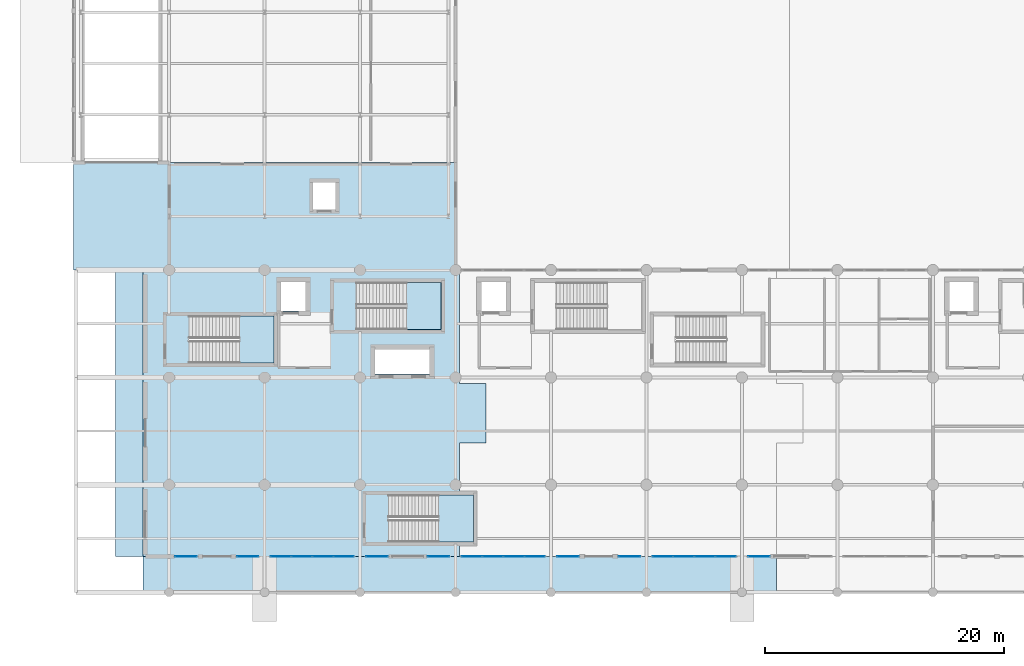
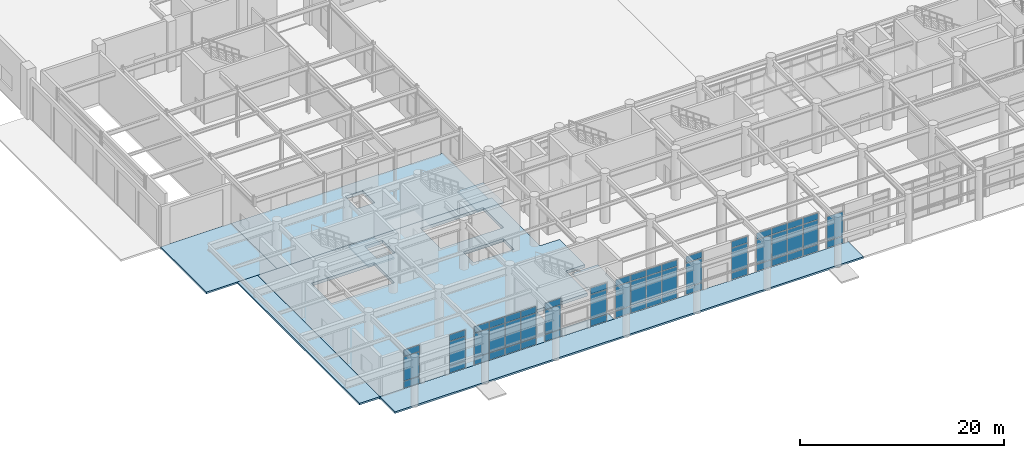
# One storey, part 19 of 49: 56 plates, 8 slabs, 13 elements without a shape of their own.
"""IFC4 building model written with IfcOpenShell, lengths in metres."""

import ifcopenshell
import ifcopenshell.guid

model = None  # the IFC model being written
_history = None  # IfcOwnerHistory: only IFC2X3 demands one
_inside = {}  # id of a spatial element -> (the spatial element, [elements in it])
_under = {}  # id of a project, library or spatial element -> (it, [spatial elements below it])
_declared = {}  # id of a project -> (the project, [libraries it declares])
_typed = {}  # id of a type object -> (the type object, [elements of that type])
_made_of = {}  # id of a material, layer set ... -> (it, [elements and type objects made of it])


def new_model(schema):
    """Start an empty IFC model of exactly this schema.

    Asked for "IFC4X3", IfcOpenShell would pick the latest addendum, in which some entities
    have other attributes; the version numbers below select the first issue.
    IFC2X3 requires an IfcOwnerHistory on every rooted entity: one is made here for all.
    """
    global model, _history
    if schema == "IFC4X3":
        model = ifcopenshell.file(schema_version=(4, 3, 0, 0))
    else:
        model = ifcopenshell.file(schema=schema)
    _inside.clear()
    _under.clear()
    _declared.clear()
    _typed.clear()
    _made_of.clear()
    _history = None
    if model.schema == "IFC2X3":
        org = make("IfcOrganization", Name="unknown")
        user = make(
            "IfcPersonAndOrganization",
            ThePerson=make("IfcPerson", FamilyName="unknown"),
            TheOrganization=org,
        )
        app = make(
            "IfcApplication",
            ApplicationDeveloper=org,
            Version="unknown",
            ApplicationFullName="unknown",
            ApplicationIdentifier="unknown",
        )
        _history = make(
            "IfcOwnerHistory",
            OwningUser=user,
            OwningApplication=app,
            ChangeAction="ADDED",
            CreationDate=0,
        )
    return model


def make(cls, **values):
    """One entity of the class cls with the attributes given. An attribute that is None is left unset."""
    return model.create_entity(
        cls, **{name: value for name, value in values.items() if value is not None}
    )


def rooted(cls, **values):
    """An entity with a GlobalId (a new one), such as an element, a storey or a relation."""
    return make(cls, GlobalId=ifcopenshell.guid.new(), OwnerHistory=_history, **values)


def si_unit(unit_type, name, prefix=None):
    """IfcSIUnit, for example si_unit("LENGTHUNIT", "METRE", prefix="MILLI")."""
    return make("IfcSIUnit", UnitType=unit_type, Prefix=prefix, Name=name)


def assignment(units):
    """IfcUnitAssignment: the units of a project."""
    return None if units is None else make("IfcUnitAssignment", Units=units)


def point(xyz):
    """IfcCartesianPoint."""
    return None if xyz is None else make("IfcCartesianPoint", Coordinates=xyz)


def direction(xyz):
    """IfcDirection."""
    return None if xyz is None else make("IfcDirection", DirectionRatios=xyz)


def frame(location, z_axis=None, x_axis=None):
    """IfcAxis2Placement3D, a coordinate frame: its origin and axes. An axis left out is left unset."""
    return make(
        "IfcAxis2Placement3D",
        Location=point(location),
        Axis=direction(z_axis),
        RefDirection=direction(x_axis),
    )


def frame_2d(location, x_axis=None):
    """IfcAxis2Placement2D, a coordinate frame in the plane: its origin and x axis."""
    return make(
        "IfcAxis2Placement2D", Location=point(location), RefDirection=direction(x_axis)
    )


def origin():
    """The frame at (0, 0, 0) with its axes left unset."""
    return frame((0.0, 0.0, 0.0))


def origin_2d():
    """The frame at (0, 0) in the plane with its x axis left unset."""
    return frame_2d((0.0, 0.0))


def place(relative_to, where):
    """IfcLocalPlacement: puts the frame where relative to a parent placement (None: the world)."""
    return make(
        "IfcLocalPlacement", PlacementRelTo=relative_to, RelativePlacement=where
    )


def context(
    kind, dimensions, precision=None, world=None, true_north=None, identifier=None
):
    """IfcGeometricRepresentationContext, for example the 3D "Model" context."""
    return make(
        "IfcGeometricRepresentationContext",
        ContextIdentifier=identifier,
        ContextType=kind,
        CoordinateSpaceDimension=dimensions,
        Precision=precision,
        WorldCoordinateSystem=world,
        TrueNorth=true_north,
    )


def subcontext(parent, identifier, kind, view, scale=None):
    """IfcGeometricRepresentationSubContext, for example "Body" below "Model"."""
    return make(
        "IfcGeometricRepresentationSubContext",
        ContextIdentifier=identifier,
        ContextType=kind,
        ParentContext=parent,
        TargetScale=scale,
        TargetView=view,
    )


def project(units=None, contexts=None):
    """IfcProject with its units and contexts."""
    return rooted(
        "IfcProject",
        Name="project",
        RepresentationContexts=contexts,
        UnitsInContext=assignment(units),
    )


def spatial(cls, under=None, at=None, **own):
    """A site, building, storey or space (cls), placed at a placement, below another one or the project."""
    s = rooted(cls, ObjectPlacement=at, **own)
    if under is not None:
        _under.setdefault(under.id(), (under, []))[1].append(s)
    return s


def polyline(points):
    """IfcPolyline through the points."""
    return make("IfcPolyline", Points=[point(p) for p in points])


def profile(cls, at=None, kind="AREA", **sizes):
    """A parametric profile (cls). Its sizes go by their IFC names, for example OverallWidth=200.0."""
    return make(cls, ProfileType=kind, Position=at, **sizes)


def rectangle(**sizes):
    """IfcRectangleProfileDef."""
    return profile("IfcRectangleProfileDef", **sizes)


def outline(outer, holes=None, kind="AREA"):
    """IfcArbitraryClosedProfileDef: a profile drawn as a closed curve; with holes, ...WithVoids."""
    if holes is None:
        return make("IfcArbitraryClosedProfileDef", ProfileType=kind, OuterCurve=outer)
    return make(
        "IfcArbitraryProfileDefWithVoids",
        ProfileType=kind,
        OuterCurve=outer,
        InnerCurves=holes,
    )


def extrude(swept, where, along, depth):
    """IfcExtrudedAreaSolid: the profile swept, set in the frame where, extruded along a direction by depth."""
    return make(
        "IfcExtrudedAreaSolid",
        SweptArea=swept,
        Position=where,
        ExtrudedDirection=direction(along),
        Depth=depth,
    )


def shape(context_of_items, identifier, shape_type, items):
    """IfcShapeRepresentation: the items that make up one representation, for example the "Body"."""
    return make(
        "IfcShapeRepresentation",
        ContextOfItems=context_of_items,
        RepresentationIdentifier=identifier,
        RepresentationType=shape_type,
        Items=items,
    )


def material(Name=None, Category=None):
    """IfcMaterial."""
    return make("IfcMaterial", Name=Name, Category=Category)


def layer(
    of_material, thickness, ventilated=None, Name=None, Category=None, Priority=None
):
    """IfcMaterialLayer: one layer of a wall or slab, of a material (None: an air gap)."""
    return make(
        "IfcMaterialLayer",
        Material=of_material,
        LayerThickness=thickness,
        IsVentilated=ventilated,
        Name=Name,
        Category=Category,
        Priority=Priority,
    )


def layer_set(layers, Name=None):
    """IfcMaterialLayerSet."""
    return make("IfcMaterialLayerSet", MaterialLayers=layers, LayerSetName=Name)


def made_of(thing, what):
    """Note that an element or type object is made of a material, layer set ...; save() writes the relation."""
    if what is not None:
        _made_of.setdefault(what.id(), (what, []))[1].append(thing)
    return thing


def type_object(cls, material=None, **own):
    """A type object (cls), such as IfcWallType, which elements share."""
    return made_of(rooted(cls, **own), material)


def element(
    cls,
    number,
    at=None,
    inside=None,
    cuts=None,
    type_object=None,
    material=None,
    context=None,
    identifier="Body",
    shape_type=None,
    held_by="IfcProductDefinitionShape",
    body=None,
    shapes=None,
    **own,
):
    """One element of the class cls, such as IfcWall. Its Tag is "e" and its number.

    at: its placement. inside: the storey or other place that contains it. cuts: it is an
    opening in that element (IfcRelVoidsElement). A single representation is given by context,
    identifier, shape_type and body (its items); several are given by shapes. held_by: the class
    of the entity that holds the representations. save() writes the other relations.
    """
    e = rooted(cls, Tag="e%d" % number, ObjectPlacement=at, **own)
    if body is not None:
        shapes = [shape(context, identifier, shape_type, body)]
    if shapes is not None:
        e.Representation = make(held_by, Representations=shapes)
    if inside is not None:
        _inside.setdefault(inside.id(), (inside, []))[1].append(e)
    if cuts is not None:
        rooted(
            "IfcRelVoidsElement", RelatingBuildingElement=cuts, RelatedOpeningElement=e
        )
    if type_object is not None:
        _typed.setdefault(type_object.id(), (type_object, []))[1].append(e)
    return made_of(e, material)


def aggregate(whole, parts):
    """IfcRelAggregates: a whole, such as a stair, and the parts it consists of."""
    return rooted("IfcRelAggregates", RelatingObject=whole, RelatedObjects=parts)


def save(model, path):
    """Write the relations noted so far, then the file.

    IfcRelAggregates (storeys below a building ...), IfcRelContainedInSpatialStructure (elements
    in a storey), IfcRelDefinesByType, IfcRelAssociatesMaterial and IfcRelDeclares: one each for
    every whole, place, type object, material and project.
    """
    for whole, parts in _under.values():
        aggregate(whole, parts)
    for where, things in _inside.values():
        rooted(
            "IfcRelContainedInSpatialStructure",
            RelatedElements=things,
            RelatingStructure=where,
        )
    for kind, things in _typed.values():
        rooted("IfcRelDefinesByType", RelatedObjects=things, RelatingType=kind)
    for what, things in _made_of.values():
        rooted("IfcRelAssociatesMaterial", RelatedObjects=things, RelatingMaterial=what)
    for by, libraries in _declared.values():
        rooted("IfcRelDeclares", RelatingContext=by, RelatedDefinitions=libraries)
    model.write(path)


model = new_model("IFC4")

# Units and contexts
model_context = context("Model", 3, precision=1e-05, world=origin(), true_north=direction((0.0, 1.0)))
body_context = subcontext(model_context, "Body", "Model", "MODEL_VIEW")
ifc_project = project(units=[si_unit("LENGTHUNIT", "METRE"), si_unit("AREAUNIT", "SQUARE_METRE"), si_unit("VOLUMEUNIT", "CUBIC_METRE"), si_unit("PLANEANGLEUNIT", "RADIAN"), si_unit("MASSUNIT", "GRAM", prefix="KILO")], contexts=[model_context])

# Site, building, storey
site_placement = place(None, origin())
site = spatial("IfcSite", under=ifc_project, at=site_placement, CompositionType="ELEMENT")
building_placement = place(site_placement, origin())
building = spatial("IfcBuilding", under=site, at=building_placement, Name="Tlacozan Convention Centre", CompositionType="ELEMENT")
storey_placement = place(building_placement, origin())
storey = spatial("IfcBuildingStorey", under=building, at=storey_placement, Name="L00", CompositionType="ELEMENT", Elevation=0.0)

# Curtain wall, plates
ifc_material_1 = material(Name="Dark Bronze Anodised Aluminium", Category="aluminium")
ifc_layer_1 = layer(ifc_material_1, 0.159912109375)
ifc_layer_set_1 = layer_set([ifc_layer_1], Name="Dark Bronze Anodised Aluminium")
curtain_wall_type = type_object("IfcCurtainWallType", Name="Unitised Concourse Curtain Wall CW01", PredefinedType="NOTDEFINED", material=ifc_layer_set_1)
curtain_wall_1_placement = place(storey_placement, origin())
curtain_wall_1 = element("IfcCurtainWall", 1, at=curtain_wall_1_placement, inside=storey, type_object=curtain_wall_type, Name="L00 CW-01 Run 30", PredefinedType="NOTDEFINED")
ifc_material_2 = material(Name="Solar Control Double Low-E Argon Glazing", Category="glass")
ifc_layer_2 = layer(ifc_material_2, 0.02001953125)
ifc_layer_set_2 = layer_set([ifc_layer_2], Name="Solar Control Double Low-E Argon Glazing")
plate_type = type_object("IfcPlateType", Name="Double Low-E Glazed CW Panel 20", PredefinedType="CURTAIN_PANEL", material=ifc_layer_set_2)
plate_1_placement = place(storey_placement, frame((9.4150390625, 3.0, 0.06494140625), z_axis=(0.0, 0.0, 1.0), x_axis=(1.0, 0.0, 0.0)))
plate_1 = element("IfcPlate", 2, at=plate_1_placement, type_object=plate_type, Name="CW-01 panel 1.1", PredefinedType="CURTAIN_PANEL", context=body_context, shape_type="SweptSolid", body=[
    extrude(rectangle(XDim=1.800048828125, YDim=0.02001953125, at=origin_2d()), origin(), (0.0, 0.0, 1.0), 0.802490234375),
])
plate_2_placement = place(storey_placement, frame((9.4150390625, 3.0, 0.9326171875), z_axis=(0.0, 0.0, 1.0), x_axis=(1.0, 0.0, 0.0)))
plate_2 = element("IfcPlate", 3, at=plate_2_placement, type_object=plate_type, Name="CW-01 panel 1.2", PredefinedType="CURTAIN_PANEL", context=body_context, shape_type="SweptSolid", body=[
    extrude(rectangle(XDim=1.800048828125, YDim=0.02001953125, at=origin_2d()), origin(), (0.0, 0.0, 1.0), 2.885009765625),
])
plate_3_placement = place(storey_placement, frame((9.4150390625, 3.0, 3.882568359375), z_axis=(0.0, 0.0, 1.0), x_axis=(1.0, 0.0, 0.0)))
plate_3 = element("IfcPlate", 4, at=plate_3_placement, type_object=plate_type, Name="CW-01 panel 1.3", PredefinedType="CURTAIN_PANEL", context=body_context, shape_type="SweptSolid", body=[
    extrude(rectangle(XDim=1.800048828125, YDim=0.02001953125, at=origin_2d()), origin(), (0.0, 0.0, 1.0), 0.75244140625),
])
aggregate(curtain_wall_1, [plate_1, plate_2, plate_3])

curtain_wall_2_placement = place(storey_placement, origin())
curtain_wall_2 = element("IfcCurtainWall", 5, at=curtain_wall_2_placement, inside=storey, type_object=curtain_wall_type, Name="L00 CW-01 Run 31", PredefinedType="NOTDEFINED")
plate_4_placement = place(storey_placement, frame((14.5849609375, 3.0, 0.06494140625), z_axis=(0.0, 0.0, 1.0), x_axis=(1.0, 0.0, 0.0)))
plate_4 = element("IfcPlate", 6, at=plate_4_placement, type_object=plate_type, Name="CW-01 panel 1.1", PredefinedType="CURTAIN_PANEL", context=body_context, shape_type="SweptSolid", body=[
    extrude(rectangle(XDim=1.800048828125, YDim=0.02001953125, at=origin_2d()), origin(), (0.0, 0.0, 1.0), 0.802490234375),
])
plate_5_placement = place(storey_placement, frame((14.5849609375, 3.0, 0.9326171875), z_axis=(0.0, 0.0, 1.0), x_axis=(1.0, 0.0, 0.0)))
plate_5 = element("IfcPlate", 7, at=plate_5_placement, type_object=plate_type, Name="CW-01 panel 1.2", PredefinedType="CURTAIN_PANEL", context=body_context, shape_type="SweptSolid", body=[
    extrude(rectangle(XDim=1.800048828125, YDim=0.02001953125, at=origin_2d()), origin(), (0.0, 0.0, 1.0), 2.885009765625),
])
plate_6_placement = place(storey_placement, frame((14.5849609375, 3.0, 3.882568359375), z_axis=(0.0, 0.0, 1.0), x_axis=(1.0, 0.0, 0.0)))
plate_6 = element("IfcPlate", 8, at=plate_6_placement, type_object=plate_type, Name="CW-01 panel 1.3", PredefinedType="CURTAIN_PANEL", context=body_context, shape_type="SweptSolid", body=[
    extrude(rectangle(XDim=1.800048828125, YDim=0.02001953125, at=origin_2d()), origin(), (0.0, 0.0, 1.0), 0.75244140625),
])
aggregate(curtain_wall_2, [plate_4, plate_5, plate_6])

curtain_wall_3_placement = place(storey_placement, origin())
curtain_wall_3 = element("IfcCurtainWall", 9, at=curtain_wall_3_placement, inside=storey, type_object=curtain_wall_type, Name="L00 CW-01 Run 32", PredefinedType="NOTDEFINED")
plate_7_placement = place(storey_placement, frame((17.353759765625, 3.0, 0.06494140625), z_axis=(0.0, 0.0, 1.0), x_axis=(1.0, 0.0, 0.0)))
plate_7 = element("IfcPlate", 10, at=plate_7_placement, type_object=plate_type, Name="CW-01 panel 1.1", PredefinedType="CURTAIN_PANEL", context=body_context, shape_type="SweptSolid", body=[
    extrude(rectangle(XDim=1.677490234375, YDim=0.02001953125, at=origin_2d()), origin(), (0.0, 0.0, 1.0), 0.802490234375),
])
plate_8_placement = place(storey_placement, frame((17.353759765625, 3.0, 0.9326171875), z_axis=(0.0, 0.0, 1.0), x_axis=(1.0, 0.0, 0.0)))
plate_8 = element("IfcPlate", 11, at=plate_8_placement, type_object=plate_type, Name="CW-01 panel 1.2", PredefinedType="CURTAIN_PANEL", context=body_context, shape_type="SweptSolid", body=[
    extrude(rectangle(XDim=1.677490234375, YDim=0.02001953125, at=origin_2d()), origin(), (0.0, 0.0, 1.0), 2.885009765625),
])
plate_9_placement = place(storey_placement, frame((17.353759765625, 3.0, 3.882568359375), z_axis=(0.0, 0.0, 1.0), x_axis=(1.0, 0.0, 0.0)))
plate_9 = element("IfcPlate", 12, at=plate_9_placement, type_object=plate_type, Name="CW-01 panel 1.3", PredefinedType="CURTAIN_PANEL", context=body_context, shape_type="SweptSolid", body=[
    extrude(rectangle(XDim=1.677490234375, YDim=0.02001953125, at=origin_2d()), origin(), (0.0, 0.0, 1.0), 0.75244140625),
])
plate_10_placement = place(storey_placement, frame((19.112548828125, 3.0, 0.06494140625), z_axis=(0.0, 0.0, 1.0), x_axis=(1.0, 0.0, 0.0)))
plate_10 = element("IfcPlate", 13, at=plate_10_placement, type_object=plate_type, Name="CW-01 panel 2.1", PredefinedType="CURTAIN_PANEL", context=body_context, shape_type="SweptSolid", body=[
    extrude(rectangle(XDim=1.7099609375, YDim=0.02001953125, at=origin_2d()), origin(), (0.0, 0.0, 1.0), 0.802490234375),
])
plate_11_placement = place(storey_placement, frame((19.112548828125, 3.0, 0.9326171875), z_axis=(0.0, 0.0, 1.0), x_axis=(1.0, 0.0, 0.0)))
plate_11 = element("IfcPlate", 14, at=plate_11_placement, type_object=plate_type, Name="CW-01 panel 2.2", PredefinedType="CURTAIN_PANEL", context=body_context, shape_type="SweptSolid", body=[
    extrude(rectangle(XDim=1.7099609375, YDim=0.02001953125, at=origin_2d()), origin(), (0.0, 0.0, 1.0), 2.885009765625),
])
plate_12_placement = place(storey_placement, frame((19.112548828125, 3.0, 3.882568359375), z_axis=(0.0, 0.0, 1.0), x_axis=(1.0, 0.0, 0.0)))
plate_12 = element("IfcPlate", 15, at=plate_12_placement, type_object=plate_type, Name="CW-01 panel 2.3", PredefinedType="CURTAIN_PANEL", context=body_context, shape_type="SweptSolid", body=[
    extrude(rectangle(XDim=1.7099609375, YDim=0.02001953125, at=origin_2d()), origin(), (0.0, 0.0, 1.0), 0.75244140625),
])
plate_13_placement = place(storey_placement, frame((20.887451171875, 3.0, 0.06494140625), z_axis=(0.0, 0.0, 1.0), x_axis=(1.0, 0.0, 0.0)))
plate_13 = element("IfcPlate", 16, at=plate_13_placement, type_object=plate_type, Name="CW-01 panel 3.1", PredefinedType="CURTAIN_PANEL", context=body_context, shape_type="SweptSolid", body=[
    extrude(rectangle(XDim=1.7099609375, YDim=0.02001953125, at=origin_2d()), origin(), (0.0, 0.0, 1.0), 0.802490234375),
])
plate_14_placement = place(storey_placement, frame((20.887451171875, 3.0, 0.9326171875), z_axis=(0.0, 0.0, 1.0), x_axis=(1.0, 0.0, 0.0)))
plate_14 = element("IfcPlate", 17, at=plate_14_placement, type_object=plate_type, Name="CW-01 panel 3.2", PredefinedType="CURTAIN_PANEL", context=body_context, shape_type="SweptSolid", body=[
    extrude(rectangle(XDim=1.7099609375, YDim=0.02001953125, at=origin_2d()), origin(), (0.0, 0.0, 1.0), 2.885009765625),
])
plate_15_placement = place(storey_placement, frame((20.887451171875, 3.0, 3.882568359375), z_axis=(0.0, 0.0, 1.0), x_axis=(1.0, 0.0, 0.0)))
plate_15 = element("IfcPlate", 18, at=plate_15_placement, type_object=plate_type, Name="CW-01 panel 3.3", PredefinedType="CURTAIN_PANEL", context=body_context, shape_type="SweptSolid", body=[
    extrude(rectangle(XDim=1.7099609375, YDim=0.02001953125, at=origin_2d()), origin(), (0.0, 0.0, 1.0), 0.75244140625),
])
plate_16_placement = place(storey_placement, frame((22.646240234375, 3.0, 0.06494140625), z_axis=(0.0, 0.0, 1.0), x_axis=(1.0, 0.0, 0.0)))
plate_16 = element("IfcPlate", 19, at=plate_16_placement, type_object=plate_type, Name="CW-01 panel 4.1", PredefinedType="CURTAIN_PANEL", context=body_context, shape_type="SweptSolid", body=[
    extrude(rectangle(XDim=1.677490234375, YDim=0.02001953125, at=origin_2d()), origin(), (0.0, 0.0, 1.0), 0.802490234375),
])
plate_17_placement = place(storey_placement, frame((22.646240234375, 3.0, 0.9326171875), z_axis=(0.0, 0.0, 1.0), x_axis=(1.0, 0.0, 0.0)))
plate_17 = element("IfcPlate", 20, at=plate_17_placement, type_object=plate_type, Name="CW-01 panel 4.2", PredefinedType="CURTAIN_PANEL", context=body_context, shape_type="SweptSolid", body=[
    extrude(rectangle(XDim=1.677490234375, YDim=0.02001953125, at=origin_2d()), origin(), (0.0, 0.0, 1.0), 2.885009765625),
])
plate_18_placement = place(storey_placement, frame((22.646240234375, 3.0, 3.882568359375), z_axis=(0.0, 0.0, 1.0), x_axis=(1.0, 0.0, 0.0)))
plate_18 = element("IfcPlate", 21, at=plate_18_placement, type_object=plate_type, Name="CW-01 panel 4.3", PredefinedType="CURTAIN_PANEL", context=body_context, shape_type="SweptSolid", body=[
    extrude(rectangle(XDim=1.677490234375, YDim=0.02001953125, at=origin_2d()), origin(), (0.0, 0.0, 1.0), 0.75244140625),
])
aggregate(curtain_wall_3, [plate_7, plate_8, plate_9, plate_10, plate_11, plate_12, plate_13, plate_14, plate_15, plate_16, plate_17, plate_18])

curtain_wall_4_placement = place(storey_placement, origin())
curtain_wall_4 = element("IfcCurtainWall", 22, at=curtain_wall_4_placement, inside=storey, type_object=curtain_wall_type, Name="L00 CW-01 Run 33", PredefinedType="NOTDEFINED")
plate_19_placement = place(storey_placement, frame((25.4150390625, 3.0, 0.06494140625), z_axis=(0.0, 0.0, 1.0), x_axis=(1.0, 0.0, 0.0)))
plate_19 = element("IfcPlate", 23, at=plate_19_placement, type_object=plate_type, Name="CW-01 panel 1.1", PredefinedType="CURTAIN_PANEL", context=body_context, shape_type="SweptSolid", body=[
    extrude(rectangle(XDim=1.800048828125, YDim=0.02001953125, at=origin_2d()), origin(), (0.0, 0.0, 1.0), 0.802490234375),
])
plate_20_placement = place(storey_placement, frame((25.4150390625, 3.0, 0.9326171875), z_axis=(0.0, 0.0, 1.0), x_axis=(1.0, 0.0, 0.0)))
plate_20 = element("IfcPlate", 24, at=plate_20_placement, type_object=plate_type, Name="CW-01 panel 1.2", PredefinedType="CURTAIN_PANEL", context=body_context, shape_type="SweptSolid", body=[
    extrude(rectangle(XDim=1.800048828125, YDim=0.02001953125, at=origin_2d()), origin(), (0.0, 0.0, 1.0), 2.885009765625),
])
plate_21_placement = place(storey_placement, frame((25.4150390625, 3.0, 3.882568359375), z_axis=(0.0, 0.0, 1.0), x_axis=(1.0, 0.0, 0.0)))
plate_21 = element("IfcPlate", 25, at=plate_21_placement, type_object=plate_type, Name="CW-01 panel 1.3", PredefinedType="CURTAIN_PANEL", context=body_context, shape_type="SweptSolid", body=[
    extrude(rectangle(XDim=1.800048828125, YDim=0.02001953125, at=origin_2d()), origin(), (0.0, 0.0, 1.0), 0.75244140625),
])
aggregate(curtain_wall_4, [plate_19, plate_20, plate_21])

curtain_wall_5_placement = place(storey_placement, origin())
curtain_wall_5 = element("IfcCurtainWall", 26, at=curtain_wall_5_placement, inside=storey, type_object=curtain_wall_type, Name="L00 CW-01 Run 34", PredefinedType="NOTDEFINED")
plate_22_placement = place(storey_placement, frame((30.5849609375, 3.0, 0.06494140625), z_axis=(0.0, 0.0, 1.0), x_axis=(1.0, 0.0, 0.0)))
plate_22 = element("IfcPlate", 27, at=plate_22_placement, type_object=plate_type, Name="CW-01 panel 1.1", PredefinedType="CURTAIN_PANEL", context=body_context, shape_type="SweptSolid", body=[
    extrude(rectangle(XDim=1.800048828125, YDim=0.02001953125, at=origin_2d()), origin(), (0.0, 0.0, 1.0), 0.802490234375),
])
plate_23_placement = place(storey_placement, frame((30.5849609375, 3.0, 0.9326171875), z_axis=(0.0, 0.0, 1.0), x_axis=(1.0, 0.0, 0.0)))
plate_23 = element("IfcPlate", 28, at=plate_23_placement, type_object=plate_type, Name="CW-01 panel 1.2", PredefinedType="CURTAIN_PANEL", context=body_context, shape_type="SweptSolid", body=[
    extrude(rectangle(XDim=1.800048828125, YDim=0.02001953125, at=origin_2d()), origin(), (0.0, 0.0, 1.0), 2.885009765625),
])
plate_24_placement = place(storey_placement, frame((30.5849609375, 3.0, 3.882568359375), z_axis=(0.0, 0.0, 1.0), x_axis=(1.0, 0.0, 0.0)))
plate_24 = element("IfcPlate", 29, at=plate_24_placement, type_object=plate_type, Name="CW-01 panel 1.3", PredefinedType="CURTAIN_PANEL", context=body_context, shape_type="SweptSolid", body=[
    extrude(rectangle(XDim=1.800048828125, YDim=0.02001953125, at=origin_2d()), origin(), (0.0, 0.0, 1.0), 0.75244140625),
])
aggregate(curtain_wall_5, [plate_22, plate_23, plate_24])

curtain_wall_6_placement = place(storey_placement, origin())
curtain_wall_6 = element("IfcCurtainWall", 30, at=curtain_wall_6_placement, inside=storey, type_object=curtain_wall_type, Name="L00 CW-01 Run 35", PredefinedType="NOTDEFINED")
plate_25_placement = place(storey_placement, frame((33.353759765625, 3.0, 0.06494140625), z_axis=(0.0, 0.0, 1.0), x_axis=(1.0, 0.0, 0.0)))
plate_25 = element("IfcPlate", 31, at=plate_25_placement, type_object=plate_type, Name="CW-01 panel 1.1", PredefinedType="CURTAIN_PANEL", context=body_context, shape_type="SweptSolid", body=[
    extrude(rectangle(XDim=1.677490234375, YDim=0.02001953125, at=origin_2d()), origin(), (0.0, 0.0, 1.0), 0.802490234375),
])
plate_26_placement = place(storey_placement, frame((33.353759765625, 3.0, 0.9326171875), z_axis=(0.0, 0.0, 1.0), x_axis=(1.0, 0.0, 0.0)))
plate_26 = element("IfcPlate", 32, at=plate_26_placement, type_object=plate_type, Name="CW-01 panel 1.2", PredefinedType="CURTAIN_PANEL", context=body_context, shape_type="SweptSolid", body=[
    extrude(rectangle(XDim=1.677490234375, YDim=0.02001953125, at=origin_2d()), origin(), (0.0, 0.0, 1.0), 2.885009765625),
])
plate_27_placement = place(storey_placement, frame((33.353759765625, 3.0, 3.882568359375), z_axis=(0.0, 0.0, 1.0), x_axis=(1.0, 0.0, 0.0)))
plate_27 = element("IfcPlate", 33, at=plate_27_placement, type_object=plate_type, Name="CW-01 panel 1.3", PredefinedType="CURTAIN_PANEL", context=body_context, shape_type="SweptSolid", body=[
    extrude(rectangle(XDim=1.677490234375, YDim=0.02001953125, at=origin_2d()), origin(), (0.0, 0.0, 1.0), 0.75244140625),
])
plate_28_placement = place(storey_placement, frame((35.112548828125, 3.0, 0.06494140625), z_axis=(0.0, 0.0, 1.0), x_axis=(1.0, 0.0, 0.0)))
plate_28 = element("IfcPlate", 34, at=plate_28_placement, type_object=plate_type, Name="CW-01 panel 2.1", PredefinedType="CURTAIN_PANEL", context=body_context, shape_type="SweptSolid", body=[
    extrude(rectangle(XDim=1.7099609375, YDim=0.02001953125, at=origin_2d()), origin(), (0.0, 0.0, 1.0), 0.802490234375),
])
plate_29_placement = place(storey_placement, frame((35.112548828125, 3.0, 0.9326171875), z_axis=(0.0, 0.0, 1.0), x_axis=(1.0, 0.0, 0.0)))
plate_29 = element("IfcPlate", 35, at=plate_29_placement, type_object=plate_type, Name="CW-01 panel 2.2", PredefinedType="CURTAIN_PANEL", context=body_context, shape_type="SweptSolid", body=[
    extrude(rectangle(XDim=1.7099609375, YDim=0.02001953125, at=origin_2d()), origin(), (0.0, 0.0, 1.0), 2.885009765625),
])
plate_30_placement = place(storey_placement, frame((35.112548828125, 3.0, 3.882568359375), z_axis=(0.0, 0.0, 1.0), x_axis=(1.0, 0.0, 0.0)))
plate_30 = element("IfcPlate", 36, at=plate_30_placement, type_object=plate_type, Name="CW-01 panel 2.3", PredefinedType="CURTAIN_PANEL", context=body_context, shape_type="SweptSolid", body=[
    extrude(rectangle(XDim=1.7099609375, YDim=0.02001953125, at=origin_2d()), origin(), (0.0, 0.0, 1.0), 0.75244140625),
])
plate_31_placement = place(storey_placement, frame((36.887451171875, 3.0, 0.06494140625), z_axis=(0.0, 0.0, 1.0), x_axis=(1.0, 0.0, 0.0)))
plate_31 = element("IfcPlate", 37, at=plate_31_placement, type_object=plate_type, Name="CW-01 panel 3.1", PredefinedType="CURTAIN_PANEL", context=body_context, shape_type="SweptSolid", body=[
    extrude(rectangle(XDim=1.7099609375, YDim=0.02001953125, at=origin_2d()), origin(), (0.0, 0.0, 1.0), 0.802490234375),
])
plate_32_placement = place(storey_placement, frame((36.887451171875, 3.0, 0.9326171875), z_axis=(0.0, 0.0, 1.0), x_axis=(1.0, 0.0, 0.0)))
plate_32 = element("IfcPlate", 38, at=plate_32_placement, type_object=plate_type, Name="CW-01 panel 3.2", PredefinedType="CURTAIN_PANEL", context=body_context, shape_type="SweptSolid", body=[
    extrude(rectangle(XDim=1.7099609375, YDim=0.02001953125, at=origin_2d()), origin(), (0.0, 0.0, 1.0), 2.885009765625),
])
plate_33_placement = place(storey_placement, frame((36.887451171875, 3.0, 3.882568359375), z_axis=(0.0, 0.0, 1.0), x_axis=(1.0, 0.0, 0.0)))
plate_33 = element("IfcPlate", 39, at=plate_33_placement, type_object=plate_type, Name="CW-01 panel 3.3", PredefinedType="CURTAIN_PANEL", context=body_context, shape_type="SweptSolid", body=[
    extrude(rectangle(XDim=1.7099609375, YDim=0.02001953125, at=origin_2d()), origin(), (0.0, 0.0, 1.0), 0.75244140625),
])
plate_34_placement = place(storey_placement, frame((38.646240234375, 3.0, 0.06494140625), z_axis=(0.0, 0.0, 1.0), x_axis=(1.0, 0.0, 0.0)))
plate_34 = element("IfcPlate", 40, at=plate_34_placement, type_object=plate_type, Name="CW-01 panel 4.1", PredefinedType="CURTAIN_PANEL", context=body_context, shape_type="SweptSolid", body=[
    extrude(rectangle(XDim=1.677490234375, YDim=0.02001953125, at=origin_2d()), origin(), (0.0, 0.0, 1.0), 0.802490234375),
])
plate_35_placement = place(storey_placement, frame((38.646240234375, 3.0, 0.9326171875), z_axis=(0.0, 0.0, 1.0), x_axis=(1.0, 0.0, 0.0)))
plate_35 = element("IfcPlate", 41, at=plate_35_placement, type_object=plate_type, Name="CW-01 panel 4.2", PredefinedType="CURTAIN_PANEL", context=body_context, shape_type="SweptSolid", body=[
    extrude(rectangle(XDim=1.677490234375, YDim=0.02001953125, at=origin_2d()), origin(), (0.0, 0.0, 1.0), 2.885009765625),
])
plate_36_placement = place(storey_placement, frame((38.646240234375, 3.0, 3.882568359375), z_axis=(0.0, 0.0, 1.0), x_axis=(1.0, 0.0, 0.0)))
plate_36 = element("IfcPlate", 42, at=plate_36_placement, type_object=plate_type, Name="CW-01 panel 4.3", PredefinedType="CURTAIN_PANEL", context=body_context, shape_type="SweptSolid", body=[
    extrude(rectangle(XDim=1.677490234375, YDim=0.02001953125, at=origin_2d()), origin(), (0.0, 0.0, 1.0), 0.75244140625),
])
aggregate(curtain_wall_6, [plate_25, plate_26, plate_27, plate_28, plate_29, plate_30, plate_31, plate_32, plate_33, plate_34, plate_35, plate_36])

curtain_wall_7_placement = place(storey_placement, origin())
curtain_wall_7 = element("IfcCurtainWall", 43, at=curtain_wall_7_placement, inside=storey, type_object=curtain_wall_type, Name="L00 CW-01 Run 36", PredefinedType="NOTDEFINED")
plate_37_placement = place(storey_placement, frame((41.4150390625, 3.0, 0.06494140625), z_axis=(0.0, 0.0, 1.0), x_axis=(1.0, 0.0, 0.0)))
plate_37 = element("IfcPlate", 44, at=plate_37_placement, type_object=plate_type, Name="CW-01 panel 1.1", PredefinedType="CURTAIN_PANEL", context=body_context, shape_type="SweptSolid", body=[
    extrude(rectangle(XDim=1.800048828125, YDim=0.02001953125, at=origin_2d()), origin(), (0.0, 0.0, 1.0), 0.802490234375),
])
plate_38_placement = place(storey_placement, frame((41.4150390625, 3.0, 0.9326171875), z_axis=(0.0, 0.0, 1.0), x_axis=(1.0, 0.0, 0.0)))
plate_38 = element("IfcPlate", 45, at=plate_38_placement, type_object=plate_type, Name="CW-01 panel 1.2", PredefinedType="CURTAIN_PANEL", context=body_context, shape_type="SweptSolid", body=[
    extrude(rectangle(XDim=1.800048828125, YDim=0.02001953125, at=origin_2d()), origin(), (0.0, 0.0, 1.0), 2.885009765625),
])
plate_39_placement = place(storey_placement, frame((41.4150390625, 3.0, 3.882568359375), z_axis=(0.0, 0.0, 1.0), x_axis=(1.0, 0.0, 0.0)))
plate_39 = element("IfcPlate", 46, at=plate_39_placement, type_object=plate_type, Name="CW-01 panel 1.3", PredefinedType="CURTAIN_PANEL", context=body_context, shape_type="SweptSolid", body=[
    extrude(rectangle(XDim=1.800048828125, YDim=0.02001953125, at=origin_2d()), origin(), (0.0, 0.0, 1.0), 0.75244140625),
])
aggregate(curtain_wall_7, [plate_37, plate_38, plate_39])

curtain_wall_8_placement = place(storey_placement, origin())
curtain_wall_8 = element("IfcCurtainWall", 47, at=curtain_wall_8_placement, inside=storey, type_object=curtain_wall_type, Name="L00 CW-01 Run 37", PredefinedType="NOTDEFINED")
plate_40_placement = place(storey_placement, frame((46.5849609375, 3.0, 0.06494140625), z_axis=(0.0, 0.0, 1.0), x_axis=(1.0, 0.0, 0.0)))
plate_40 = element("IfcPlate", 48, at=plate_40_placement, type_object=plate_type, Name="CW-01 panel 1.1", PredefinedType="CURTAIN_PANEL", context=body_context, shape_type="SweptSolid", body=[
    extrude(rectangle(XDim=1.800048828125, YDim=0.02001953125, at=origin_2d()), origin(), (0.0, 0.0, 1.0), 0.802490234375),
])
plate_41_placement = place(storey_placement, frame((46.5849609375, 3.0, 0.9326171875), z_axis=(0.0, 0.0, 1.0), x_axis=(1.0, 0.0, 0.0)))
plate_41 = element("IfcPlate", 49, at=plate_41_placement, type_object=plate_type, Name="CW-01 panel 1.2", PredefinedType="CURTAIN_PANEL", context=body_context, shape_type="SweptSolid", body=[
    extrude(rectangle(XDim=1.800048828125, YDim=0.02001953125, at=origin_2d()), origin(), (0.0, 0.0, 1.0), 2.885009765625),
])
plate_42_placement = place(storey_placement, frame((46.5849609375, 3.0, 3.882568359375), z_axis=(0.0, 0.0, 1.0), x_axis=(1.0, 0.0, 0.0)))
plate_42 = element("IfcPlate", 50, at=plate_42_placement, type_object=plate_type, Name="CW-01 panel 1.3", PredefinedType="CURTAIN_PANEL", context=body_context, shape_type="SweptSolid", body=[
    extrude(rectangle(XDim=1.800048828125, YDim=0.02001953125, at=origin_2d()), origin(), (0.0, 0.0, 1.0), 0.75244140625),
])
aggregate(curtain_wall_8, [plate_40, plate_41, plate_42])

curtain_wall_9_placement = place(storey_placement, origin())
curtain_wall_9 = element("IfcCurtainWall", 51, at=curtain_wall_9_placement, inside=storey, type_object=curtain_wall_type, Name="L00 CW-01 Run 38", PredefinedType="NOTDEFINED")
plate_43_placement = place(storey_placement, frame((49.353759765625, 3.0, 0.06494140625), z_axis=(0.0, 0.0, 1.0), x_axis=(1.0, 0.0, 0.0)))
plate_43 = element("IfcPlate", 52, at=plate_43_placement, type_object=plate_type, Name="CW-01 panel 1.1", PredefinedType="CURTAIN_PANEL", context=body_context, shape_type="SweptSolid", body=[
    extrude(rectangle(XDim=1.677490234375, YDim=0.02001953125, at=origin_2d()), origin(), (0.0, 0.0, 1.0), 0.802490234375),
])
plate_44_placement = place(storey_placement, frame((49.353759765625, 3.0, 0.9326171875), z_axis=(0.0, 0.0, 1.0), x_axis=(1.0, 0.0, 0.0)))
plate_44 = element("IfcPlate", 53, at=plate_44_placement, type_object=plate_type, Name="CW-01 panel 1.2", PredefinedType="CURTAIN_PANEL", context=body_context, shape_type="SweptSolid", body=[
    extrude(rectangle(XDim=1.677490234375, YDim=0.02001953125, at=origin_2d()), origin(), (0.0, 0.0, 1.0), 2.885009765625),
])
plate_45_placement = place(storey_placement, frame((49.353759765625, 3.0, 3.882568359375), z_axis=(0.0, 0.0, 1.0), x_axis=(1.0, 0.0, 0.0)))
plate_45 = element("IfcPlate", 54, at=plate_45_placement, type_object=plate_type, Name="CW-01 panel 1.3", PredefinedType="CURTAIN_PANEL", context=body_context, shape_type="SweptSolid", body=[
    extrude(rectangle(XDim=1.677490234375, YDim=0.02001953125, at=origin_2d()), origin(), (0.0, 0.0, 1.0), 0.75244140625),
])
plate_46_placement = place(storey_placement, frame((51.112548828125, 3.0, 0.06494140625), z_axis=(0.0, 0.0, 1.0), x_axis=(1.0, 0.0, 0.0)))
plate_46 = element("IfcPlate", 55, at=plate_46_placement, type_object=plate_type, Name="CW-01 panel 2.1", PredefinedType="CURTAIN_PANEL", context=body_context, shape_type="SweptSolid", body=[
    extrude(rectangle(XDim=1.7099609375, YDim=0.02001953125, at=origin_2d()), origin(), (0.0, 0.0, 1.0), 0.802490234375),
])
plate_47_placement = place(storey_placement, frame((51.112548828125, 3.0, 0.9326171875), z_axis=(0.0, 0.0, 1.0), x_axis=(1.0, 0.0, 0.0)))
plate_47 = element("IfcPlate", 56, at=plate_47_placement, type_object=plate_type, Name="CW-01 panel 2.2", PredefinedType="CURTAIN_PANEL", context=body_context, shape_type="SweptSolid", body=[
    extrude(rectangle(XDim=1.7099609375, YDim=0.02001953125, at=origin_2d()), origin(), (0.0, 0.0, 1.0), 2.885009765625),
])
plate_48_placement = place(storey_placement, frame((51.112548828125, 3.0, 3.882568359375), z_axis=(0.0, 0.0, 1.0), x_axis=(1.0, 0.0, 0.0)))
plate_48 = element("IfcPlate", 57, at=plate_48_placement, type_object=plate_type, Name="CW-01 panel 2.3", PredefinedType="CURTAIN_PANEL", context=body_context, shape_type="SweptSolid", body=[
    extrude(rectangle(XDim=1.7099609375, YDim=0.02001953125, at=origin_2d()), origin(), (0.0, 0.0, 1.0), 0.75244140625),
])
plate_49_placement = place(storey_placement, frame((52.887451171875, 3.0, 0.06494140625), z_axis=(0.0, 0.0, 1.0), x_axis=(1.0, 0.0, 0.0)))
plate_49 = element("IfcPlate", 58, at=plate_49_placement, type_object=plate_type, Name="CW-01 panel 3.1", PredefinedType="CURTAIN_PANEL", context=body_context, shape_type="SweptSolid", body=[
    extrude(rectangle(XDim=1.7099609375, YDim=0.02001953125, at=origin_2d()), origin(), (0.0, 0.0, 1.0), 0.802490234375),
])
plate_50_placement = place(storey_placement, frame((52.887451171875, 3.0, 0.9326171875), z_axis=(0.0, 0.0, 1.0), x_axis=(1.0, 0.0, 0.0)))
plate_50 = element("IfcPlate", 59, at=plate_50_placement, type_object=plate_type, Name="CW-01 panel 3.2", PredefinedType="CURTAIN_PANEL", context=body_context, shape_type="SweptSolid", body=[
    extrude(rectangle(XDim=1.7099609375, YDim=0.02001953125, at=origin_2d()), origin(), (0.0, 0.0, 1.0), 2.885009765625),
])
plate_51_placement = place(storey_placement, frame((52.887451171875, 3.0, 3.882568359375), z_axis=(0.0, 0.0, 1.0), x_axis=(1.0, 0.0, 0.0)))
plate_51 = element("IfcPlate", 60, at=plate_51_placement, type_object=plate_type, Name="CW-01 panel 3.3", PredefinedType="CURTAIN_PANEL", context=body_context, shape_type="SweptSolid", body=[
    extrude(rectangle(XDim=1.7099609375, YDim=0.02001953125, at=origin_2d()), origin(), (0.0, 0.0, 1.0), 0.75244140625),
])
plate_52_placement = place(storey_placement, frame((54.646240234375, 3.0, 0.06494140625), z_axis=(0.0, 0.0, 1.0), x_axis=(1.0, 0.0, 0.0)))
plate_52 = element("IfcPlate", 61, at=plate_52_placement, type_object=plate_type, Name="CW-01 panel 4.1", PredefinedType="CURTAIN_PANEL", context=body_context, shape_type="SweptSolid", body=[
    extrude(rectangle(XDim=1.677490234375, YDim=0.02001953125, at=origin_2d()), origin(), (0.0, 0.0, 1.0), 0.802490234375),
])
plate_53_placement = place(storey_placement, frame((54.646240234375, 3.0, 0.9326171875), z_axis=(0.0, 0.0, 1.0), x_axis=(1.0, 0.0, 0.0)))
plate_53 = element("IfcPlate", 62, at=plate_53_placement, type_object=plate_type, Name="CW-01 panel 4.2", PredefinedType="CURTAIN_PANEL", context=body_context, shape_type="SweptSolid", body=[
    extrude(rectangle(XDim=1.677490234375, YDim=0.02001953125, at=origin_2d()), origin(), (0.0, 0.0, 1.0), 2.885009765625),
])
plate_54_placement = place(storey_placement, frame((54.646240234375, 3.0, 3.882568359375), z_axis=(0.0, 0.0, 1.0), x_axis=(1.0, 0.0, 0.0)))
plate_54 = element("IfcPlate", 63, at=plate_54_placement, type_object=plate_type, Name="CW-01 panel 4.3", PredefinedType="CURTAIN_PANEL", context=body_context, shape_type="SweptSolid", body=[
    extrude(rectangle(XDim=1.677490234375, YDim=0.02001953125, at=origin_2d()), origin(), (0.0, 0.0, 1.0), 0.75244140625),
])
aggregate(curtain_wall_9, [plate_43, plate_44, plate_45, plate_46, plate_47, plate_48, plate_49, plate_50, plate_51, plate_52, plate_53, plate_54])

curtain_wall_10_placement = place(storey_placement, origin())
curtain_wall_10 = element("IfcCurtainWall", 64, at=curtain_wall_10_placement, inside=storey, type_object=curtain_wall_type, Name="L00 CW-01 Run 39", PredefinedType="NOTDEFINED")
plate_55_placement = place(storey_placement, frame((57.4150390625, 3.0, 0.06494140625), z_axis=(0.0, 0.0, 1.0), x_axis=(1.0, 0.0, 0.0)))
plate_55 = element("IfcPlate", 65, at=plate_55_placement, type_object=plate_type, Name="CW-01 panel 1.1", PredefinedType="CURTAIN_PANEL", context=body_context, shape_type="SweptSolid", body=[
    extrude(rectangle(XDim=1.800048828125, YDim=0.02001953125, at=origin_2d()), origin(), (0.0, 0.0, 1.0), 0.802490234375),
])
plate_56_placement = place(storey_placement, frame((57.4150390625, 3.0, 0.9326171875), z_axis=(0.0, 0.0, 1.0), x_axis=(1.0, 0.0, 0.0)))
plate_56 = element("IfcPlate", 66, at=plate_56_placement, type_object=plate_type, Name="CW-01 panel 1.2", PredefinedType="CURTAIN_PANEL", context=body_context, shape_type="SweptSolid", body=[
    extrude(rectangle(XDim=1.800048828125, YDim=0.02001953125, at=origin_2d()), origin(), (0.0, 0.0, 1.0), 2.885009765625),
])
aggregate(curtain_wall_10, [plate_55, plate_56])

# Slabs
ifc_material_3 = material(Name="Concrete C35/45", Category="concrete")
ifc_layer_3 = layer(ifc_material_3, 0.2099609375)
ifc_layer_set_3 = layer_set([ifc_layer_3], Name="Concrete C35/45")
slab_type_1 = type_object("IfcSlabType", Name="Outdoor Park Colonnade Plinth 210", PredefinedType="FLOOR", material=ifc_layer_set_3)
slab_1_placement = place(storey_placement, frame((0.0, 0.0, -0.2099609375)))
element("IfcSlab", 67, at=slab_1_placement, inside=storey, type_object=slab_type_1, Name="L00 Outdoor Park Colonnade Plinth 210 28", PredefinedType="FLOOR", context=body_context, shape_type="SweptSolid", body=[
    extrude(outline(polyline([(5.800048828125, 0.0), (5.800048828125, 3.0), (58.89990234375, 3.0), (58.89990234375, 0.0), (5.800048828125, 0.0)])), origin(), (0.0, 0.0, 1.0), 0.2099609375),
])
slab_2_placement = place(storey_placement, frame((0.0, 0.0, -0.2099609375)))
element("IfcSlab", 68, at=slab_2_placement, inside=storey, type_object=slab_type_1, Name="L00 Outdoor Park Colonnade Plinth 210 52", PredefinedType="FLOOR", context=body_context, shape_type="SweptSolid", body=[
    extrude(outline(polyline([(0.0, 27.0), (0.0, 36.0), (8.0, 36.0), (8.0, 27.0), (0.0, 27.0)])), origin(), (0.0, 0.0, 1.0), 0.2099609375),
])
slab_3_placement = place(storey_placement, frame((0.0, 0.0, -0.2099609375)))
element("IfcSlab", 69, at=slab_3_placement, inside=storey, type_object=slab_type_1, Name="West Promenade Entrance Plaza Apron", PredefinedType="FLOOR", context=body_context, shape_type="SweptSolid", body=[
    extrude(outline(polyline([(3.5, 3.0), (5.800048828125, 3.0), (5.800048828125, 27.0), (3.5, 27.0), (3.5, 3.0)])), origin(), (0.0, 0.0, 1.0), 0.2099609375),
])
ifc_material_4 = material(Name="Concrete C40/50", Category="concrete")
ifc_layer_4 = layer(ifc_material_4, 0.360107421875)
ifc_layer_set_4 = layer_set([ifc_layer_4], Name="Concrete C40/50")
slab_type_2 = type_object("IfcSlabType", Name="Podium Ground Floor Slab 360", PredefinedType="FLOOR", material=ifc_layer_set_4)
slab_4_placement = place(storey_placement, frame((0.0, 0.0, -0.360107421875)))
element("IfcSlab", 70, at=slab_4_placement, inside=storey, type_object=slab_type_2, Name="L00 Podium Ground Floor Slab 360 24", PredefinedType="FLOOR", context=body_context, shape_type="SweptSolid", body=[
    extrude(outline(polyline([(5.800048828125, 3.0), (5.800048828125, 27.0), (32.35009765625, 27.0), (32.35009765625, 17.5), (34.550048828125, 17.5), (34.550048828125, 12.5), (32.35009765625, 12.5), (32.35009765625, 8.159912109375), (26.3798828125, 8.159912109375), (26.3798828125, 4.199951171875), (32.35009765625, 4.199951171875), (32.35009765625, 3.0), (5.800048828125, 3.0)]), holes=[polyline([(29.830078125, 18.27001953125), (29.830078125, 20.330078125), (25.27001953125, 20.330078125), (25.27001953125, 18.27001953125), (29.830078125, 18.27001953125)]), polyline([(9.679931640625, 19.199951171875), (16.800048828125, 19.199951171875), (16.800048828125, 23.159912109375), (9.679931640625, 23.159912109375), (9.679931640625, 19.199951171875)]), polyline([(23.679931640625, 22.0), (30.800048828125, 22.0), (30.800048828125, 25.9599609375), (23.679931640625, 25.9599609375), (23.679931640625, 22.0)]), polyline([(19.419921875, 26.02001953125), (17.3798828125, 26.02001953125), (17.3798828125, 23.580078125), (19.419921875, 23.580078125), (19.419921875, 26.02001953125)])]), origin(), (0.0, 0.0, 1.0), 0.360107421875),
])
slab_5_placement = place(storey_placement, frame((0.0, 0.0, -0.360107421875)))
element("IfcSlab", 71, at=slab_5_placement, inside=storey, type_object=slab_type_2, Name="L00 Podium Ground Floor Slab 360 49", PredefinedType="FLOOR", context=body_context, shape_type="SweptSolid", body=[
    extrude(outline(polyline([(8.0, 27.0), (8.0, 36.0), (32.0, 36.0), (32.0, 27.0), (8.0, 27.0)]), holes=[polyline([(22.0, 32.0), (22.0, 34.39990234375), (20.0, 34.39990234375), (20.0, 32.0), (22.0, 32.0)])]), origin(), (0.0, 0.0, 1.0), 0.360107421875),
])

# Stair, slab
stair_type = type_object("IfcStairType", Name="Protected Dogleg Stair W188 H60", PredefinedType="HALF_TURN_STAIR", material=ifc_material_4)
stair_1_placement = place(storey_placement, origin())
stair_1 = element("IfcStair", 72, at=stair_1_placement, inside=storey, type_object=stair_type, Name="L00 West Congress Core Stair ST-01", PredefinedType="HALF_TURN_STAIR")
ifc_layer_5 = layer(ifc_material_4, 0.199951171875)
ifc_layer_set_5 = layer_set([ifc_layer_5], Name="Concrete C40/50")
slab_type_3 = type_object("IfcSlabType", Name="Stair Half Landing Slab 200", PredefinedType="LANDING", material=ifc_layer_set_5)
slab_6_placement = place(storey_placement, frame((0.0, 0.0, 2.800048828125)))
slab_6 = element("IfcSlab", 73, at=slab_6_placement, type_object=slab_type_3, Name="ST-01 landing 1", PredefinedType="LANDING", context=body_context, shape_type="SweptSolid", body=[
    extrude(outline(polyline([(27.8798828125, 22.0), (30.800048828125, 22.0), (30.800048828125, 25.9599609375), (27.8798828125, 25.9599609375), (27.8798828125, 22.0)])), origin(), (0.0, 0.0, 1.0), 0.199951171875),
])
aggregate(stair_1, [slab_6])

stair_2_placement = place(storey_placement, origin())
stair_2 = element("IfcStair", 74, at=stair_2_placement, inside=storey, type_object=stair_type, Name="L00 West Belvedere Congress Stair", PredefinedType="HALF_TURN_STAIR")
slab_7_placement = place(storey_placement, frame((0.0, 0.0, 2.800048828125)))
slab_7 = element("IfcSlab", 75, at=slab_7_placement, type_object=slab_type_3, Name="ST-13 landing 1", PredefinedType="LANDING", context=body_context, shape_type="SweptSolid", body=[
    extrude(outline(polyline([(13.8798828125, 19.199951171875), (16.800048828125, 19.199951171875), (16.800048828125, 23.159912109375), (13.8798828125, 23.159912109375), (13.8798828125, 19.199951171875)])), origin(), (0.0, 0.0, 1.0), 0.199951171875),
])
aggregate(stair_2, [slab_7])

stair_3_placement = place(storey_placement, origin())
stair_3 = element("IfcStair", 76, at=stair_3_placement, inside=storey, type_object=stair_type, Name="L00 West Concourse Grand Stair", PredefinedType="HALF_TURN_STAIR")
slab_8_placement = place(storey_placement, frame((0.0, 0.0, 2.800048828125)))
slab_8 = element("IfcSlab", 77, at=slab_8_placement, type_object=slab_type_3, Name="ST-16 landing 1", PredefinedType="LANDING", context=body_context, shape_type="SweptSolid", body=[
    extrude(outline(polyline([(30.580078125, 4.199951171875), (33.5, 4.199951171875), (33.5, 8.159912109375), (30.580078125, 8.159912109375), (30.580078125, 4.199951171875)])), origin(), (0.0, 0.0, 1.0), 0.199951171875),
])
aggregate(stair_3, [slab_8])

save(model, "model.ifc")
